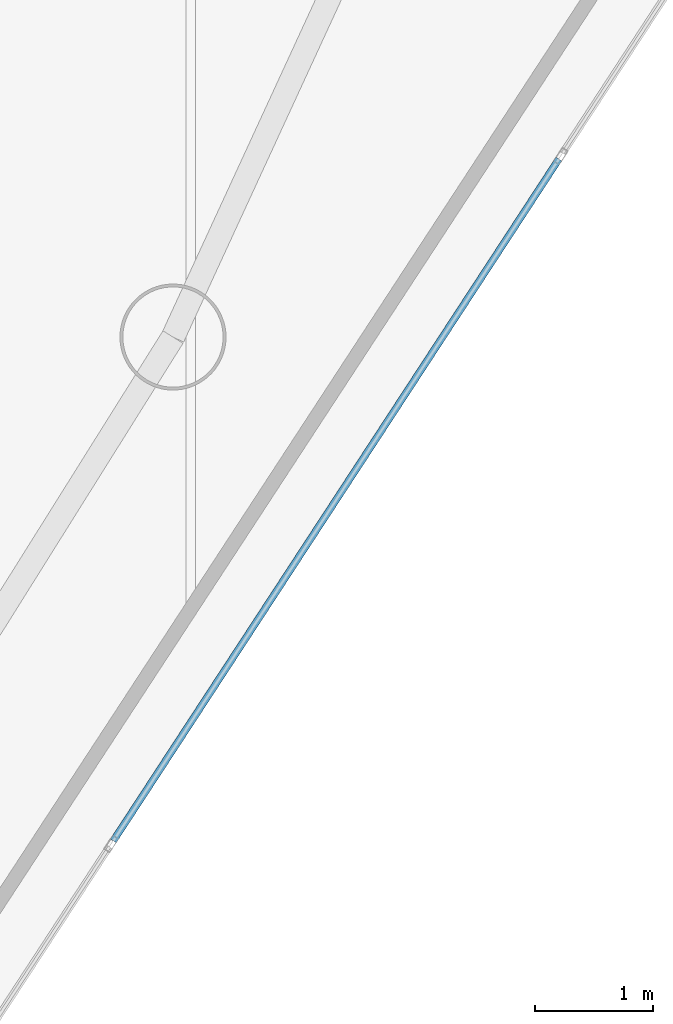
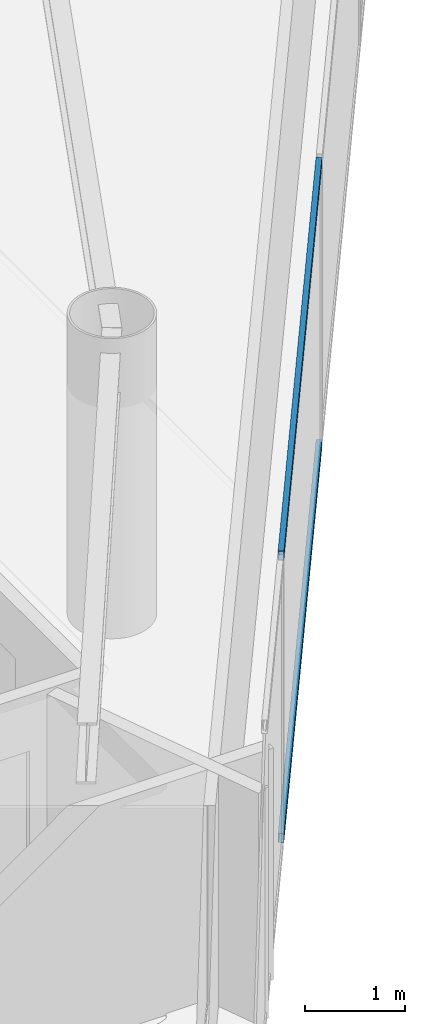
# One storey, part 7 of 25: 2 members, 1 element without a shape of its own.
"""IFC4 building model written with IfcOpenShell, lengths in metres."""

from ifc_helpers import new_model, si_unit, direction, frame, origin, origin_2d, place, context, subcontext, project, spatial, hollow_rectangle, extrude, material, layer, layer_set, material_profile, profile_set, type_object, element, aggregate, save


model = new_model("IFC4")

# Units and contexts
model_context = context("Model", 3, precision=1e-05, world=origin(), true_north=direction((0.0, 1.0)))
body_context = subcontext(model_context, "Body", "Model", "MODEL_VIEW")
ifc_project = project(units=[si_unit("LENGTHUNIT", "METRE"), si_unit("AREAUNIT", "SQUARE_METRE"), si_unit("VOLUMEUNIT", "CUBIC_METRE"), si_unit("PLANEANGLEUNIT", "RADIAN"), si_unit("MASSUNIT", "GRAM", prefix="KILO")], contexts=[model_context])

# Site, building, storey
site_placement = place(None, origin())
site = spatial("IfcSite", under=ifc_project, at=site_placement, CompositionType="ELEMENT")
building_placement = place(site_placement, origin())
building = spatial("IfcBuilding", under=site, at=building_placement, Name="Qianvela Tower", CompositionType="ELEMENT")
storey_placement = place(building_placement, frame((0.0, 0.0, 291.699951171875)))
storey = spatial("IfcBuildingStorey", under=building, at=storey_placement, Name="L75", CompositionType="ELEMENT", Elevation=291.699951171875)

# Curtain wall, members
ifc_material_1 = material(Name="Anodised Architectural Aluminium and Low-E Glass", Category="aluminium")
ifc_layer = layer(ifc_material_1, 0.14990234375)
ifc_layer_set = layer_set([ifc_layer], Name="Anodised Architectural Aluminium and Low-E Glass")
curtain_wall_type = type_object("IfcCurtainWallType", Name="CW-COLIV-Z78", PredefinedType="USERDEFINED", material=ifc_layer_set)
curtain_wall_placement = place(storey_placement, origin())
curtain_wall = element("IfcCurtainWall", 1, at=curtain_wall_placement, inside=storey, type_object=curtain_wall_type, Name="L75 CW-COLIV-Z78 Curtain Wall 06C", ObjectType="CURTAIN_WALL_SYSTEM", PredefinedType="USERDEFINED")
ifc_material_2 = material(Name="Anodised Architectural Aluminium 6063-T6", Category="aluminium")
ifc_material_profile = material_profile(ifc_material_2, hollow_rectangle(XDim=0.06005859375, YDim=0.114990234375, WallThickness=0.00390625, at=origin_2d()), Name="ALU-TRAN-60x115")
ifc_profile_set = profile_set([ifc_material_profile], Name="Anodised Architectural Aluminium 6063-T6")
member_type = type_object("IfcMemberType", Name="CW-COLIV-Z78-TRAN", PredefinedType="USERDEFINED", material=ifc_profile_set)
member_1_placement = place(storey_placement, frame((45.32763671875, 18.072021484375, 0.030029296875), z_axis=(0.54708365851, 0.837077935793, 0.0), x_axis=(-0.837077935793, 0.54708365851, 0.0)))
member_1 = element("IfcMember", 2, at=member_1_placement, type_object=member_type, Name="CW-6 transom 2.1", ObjectType="TRANSOM", PredefinedType="USERDEFINED", context=body_context, shape_type="SweptSolid", body=[
    extrude(hollow_rectangle(XDim=0.06005859375, YDim=0.114990234375, WallThickness=0.00390625, at=origin_2d()), origin(), (0.0, 0.0, 1.0), 6.90771484375),
])
member_2_placement = place(storey_placement, frame((45.32763671875, 18.072021484375, 3.489990234375), z_axis=(0.54708365851, 0.837077935793, 0.0), x_axis=(-0.837077935793, 0.54708365851, 0.0)))
member_2 = element("IfcMember", 3, at=member_2_placement, type_object=member_type, Name="CW-6 transom 2.2", ObjectType="TRANSOM", PredefinedType="USERDEFINED", context=body_context, shape_type="SweptSolid", body=[
    extrude(hollow_rectangle(XDim=0.06005859375, YDim=0.114990234375, WallThickness=0.00390625, at=origin_2d()), origin(), (0.0, 0.0, 1.0), 6.90771484375),
])
aggregate(curtain_wall, [member_1, member_2])

save(model, "model.ifc")
